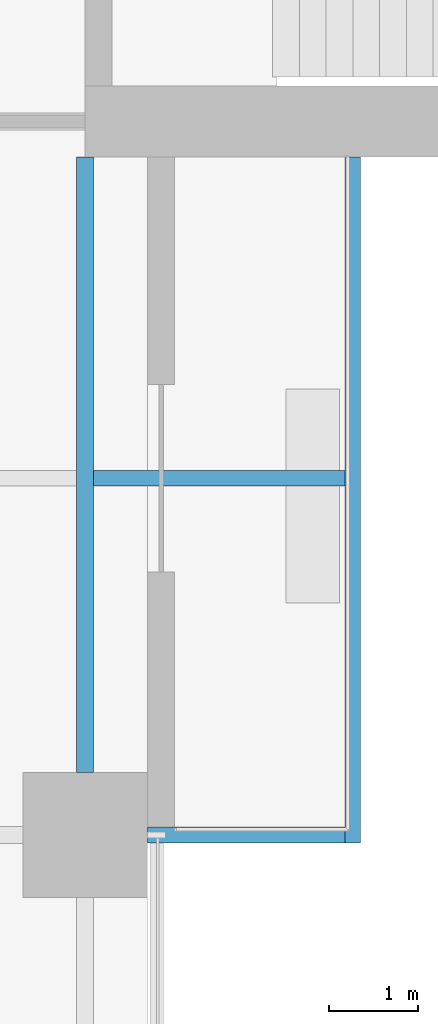
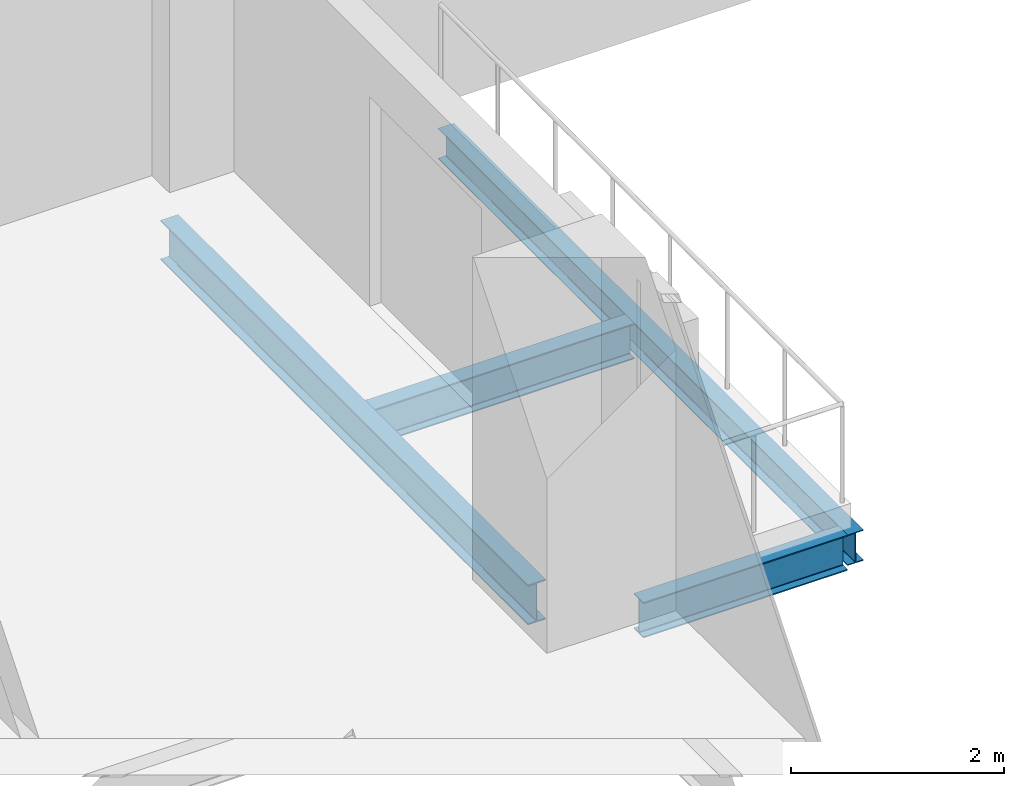
# One storey, part 5 of 27: 4 beams.
"""IFC4 building model written with IfcOpenShell, lengths in metres."""

import ifcopenshell
import ifcopenshell.guid

model = None  # the IFC model being written
_history = None  # IfcOwnerHistory: only IFC2X3 demands one
_inside = {}  # id of a spatial element -> (the spatial element, [elements in it])
_under = {}  # id of a project, library or spatial element -> (it, [spatial elements below it])
_declared = {}  # id of a project -> (the project, [libraries it declares])
_typed = {}  # id of a type object -> (the type object, [elements of that type])
_made_of = {}  # id of a material, layer set ... -> (it, [elements and type objects made of it])


def new_model(schema):
    """Start an empty IFC model of exactly this schema.

    Asked for "IFC4X3", IfcOpenShell would pick the latest addendum, in which some entities
    have other attributes; the version numbers below select the first issue.
    IFC2X3 requires an IfcOwnerHistory on every rooted entity: one is made here for all.
    """
    global model, _history
    if schema == "IFC4X3":
        model = ifcopenshell.file(schema_version=(4, 3, 0, 0))
    else:
        model = ifcopenshell.file(schema=schema)
    _inside.clear()
    _under.clear()
    _declared.clear()
    _typed.clear()
    _made_of.clear()
    _history = None
    if model.schema == "IFC2X3":
        org = make("IfcOrganization", Name="unknown")
        user = make(
            "IfcPersonAndOrganization",
            ThePerson=make("IfcPerson", FamilyName="unknown"),
            TheOrganization=org,
        )
        app = make(
            "IfcApplication",
            ApplicationDeveloper=org,
            Version="unknown",
            ApplicationFullName="unknown",
            ApplicationIdentifier="unknown",
        )
        _history = make(
            "IfcOwnerHistory",
            OwningUser=user,
            OwningApplication=app,
            ChangeAction="ADDED",
            CreationDate=0,
        )
    return model


def make(cls, **values):
    """One entity of the class cls with the attributes given. An attribute that is None is left unset."""
    return model.create_entity(
        cls, **{name: value for name, value in values.items() if value is not None}
    )


def rooted(cls, **values):
    """An entity with a GlobalId (a new one), such as an element, a storey or a relation."""
    return make(cls, GlobalId=ifcopenshell.guid.new(), OwnerHistory=_history, **values)


def si_unit(unit_type, name, prefix=None):
    """IfcSIUnit, for example si_unit("LENGTHUNIT", "METRE", prefix="MILLI")."""
    return make("IfcSIUnit", UnitType=unit_type, Prefix=prefix, Name=name)


def assignment(units):
    """IfcUnitAssignment: the units of a project."""
    return None if units is None else make("IfcUnitAssignment", Units=units)


def point(xyz):
    """IfcCartesianPoint."""
    return None if xyz is None else make("IfcCartesianPoint", Coordinates=xyz)


def direction(xyz):
    """IfcDirection."""
    return None if xyz is None else make("IfcDirection", DirectionRatios=xyz)


def frame(location, z_axis=None, x_axis=None):
    """IfcAxis2Placement3D, a coordinate frame: its origin and axes. An axis left out is left unset."""
    return make(
        "IfcAxis2Placement3D",
        Location=point(location),
        Axis=direction(z_axis),
        RefDirection=direction(x_axis),
    )


def frame_2d(location, x_axis=None):
    """IfcAxis2Placement2D, a coordinate frame in the plane: its origin and x axis."""
    return make(
        "IfcAxis2Placement2D", Location=point(location), RefDirection=direction(x_axis)
    )


def origin():
    """The frame at (0, 0, 0) with its axes left unset."""
    return frame((0.0, 0.0, 0.0))


def origin_2d():
    """The frame at (0, 0) in the plane with its x axis left unset."""
    return frame_2d((0.0, 0.0))


def place(relative_to, where):
    """IfcLocalPlacement: puts the frame where relative to a parent placement (None: the world)."""
    return make(
        "IfcLocalPlacement", PlacementRelTo=relative_to, RelativePlacement=where
    )


def context(
    kind, dimensions, precision=None, world=None, true_north=None, identifier=None
):
    """IfcGeometricRepresentationContext, for example the 3D "Model" context."""
    return make(
        "IfcGeometricRepresentationContext",
        ContextIdentifier=identifier,
        ContextType=kind,
        CoordinateSpaceDimension=dimensions,
        Precision=precision,
        WorldCoordinateSystem=world,
        TrueNorth=true_north,
    )


def subcontext(parent, identifier, kind, view, scale=None):
    """IfcGeometricRepresentationSubContext, for example "Body" below "Model"."""
    return make(
        "IfcGeometricRepresentationSubContext",
        ContextIdentifier=identifier,
        ContextType=kind,
        ParentContext=parent,
        TargetScale=scale,
        TargetView=view,
    )


def project(units=None, contexts=None):
    """IfcProject with its units and contexts."""
    return rooted(
        "IfcProject",
        Name="project",
        RepresentationContexts=contexts,
        UnitsInContext=assignment(units),
    )


def spatial(cls, under=None, at=None, **own):
    """A site, building, storey or space (cls), placed at a placement, below another one or the project."""
    s = rooted(cls, ObjectPlacement=at, **own)
    if under is not None:
        _under.setdefault(under.id(), (under, []))[1].append(s)
    return s


def profile(cls, at=None, kind="AREA", **sizes):
    """A parametric profile (cls). Its sizes go by their IFC names, for example OverallWidth=200.0."""
    return make(cls, ProfileType=kind, Position=at, **sizes)


def i_section(**sizes):
    """IfcIShapeProfileDef."""
    return profile("IfcIShapeProfileDef", **sizes)


def extrude(swept, where, along, depth):
    """IfcExtrudedAreaSolid: the profile swept, set in the frame where, extruded along a direction by depth."""
    return make(
        "IfcExtrudedAreaSolid",
        SweptArea=swept,
        Position=where,
        ExtrudedDirection=direction(along),
        Depth=depth,
    )


def shape(context_of_items, identifier, shape_type, items):
    """IfcShapeRepresentation: the items that make up one representation, for example the "Body"."""
    return make(
        "IfcShapeRepresentation",
        ContextOfItems=context_of_items,
        RepresentationIdentifier=identifier,
        RepresentationType=shape_type,
        Items=items,
    )


def material(Name=None, Category=None):
    """IfcMaterial."""
    return make("IfcMaterial", Name=Name, Category=Category)


def material_profile(
    of_material, cross_section, Name=None, Category=None, Priority=None
):
    """IfcMaterialProfile: a cross section and its material."""
    return make(
        "IfcMaterialProfile",
        Name=Name,
        Material=of_material,
        Profile=cross_section,
        Priority=Priority,
        Category=Category,
    )


def profile_set(profiles, Name=None, composite=None):
    """IfcMaterialProfileSet."""
    return make(
        "IfcMaterialProfileSet",
        Name=Name,
        MaterialProfiles=profiles,
        CompositeProfile=composite,
    )


def made_of(thing, what):
    """Note that an element or type object is made of a material, layer set ...; save() writes the relation."""
    if what is not None:
        _made_of.setdefault(what.id(), (what, []))[1].append(thing)
    return thing


def type_object(cls, material=None, **own):
    """A type object (cls), such as IfcWallType, which elements share."""
    return made_of(rooted(cls, **own), material)


def element(
    cls,
    number,
    at=None,
    inside=None,
    cuts=None,
    type_object=None,
    material=None,
    context=None,
    identifier="Body",
    shape_type=None,
    held_by="IfcProductDefinitionShape",
    body=None,
    shapes=None,
    **own,
):
    """One element of the class cls, such as IfcWall. Its Tag is "e" and its number.

    at: its placement. inside: the storey or other place that contains it. cuts: it is an
    opening in that element (IfcRelVoidsElement). A single representation is given by context,
    identifier, shape_type and body (its items); several are given by shapes. held_by: the class
    of the entity that holds the representations. save() writes the other relations.
    """
    e = rooted(cls, Tag="e%d" % number, ObjectPlacement=at, **own)
    if body is not None:
        shapes = [shape(context, identifier, shape_type, body)]
    if shapes is not None:
        e.Representation = make(held_by, Representations=shapes)
    if inside is not None:
        _inside.setdefault(inside.id(), (inside, []))[1].append(e)
    if cuts is not None:
        rooted(
            "IfcRelVoidsElement", RelatingBuildingElement=cuts, RelatedOpeningElement=e
        )
    if type_object is not None:
        _typed.setdefault(type_object.id(), (type_object, []))[1].append(e)
    return made_of(e, material)


def aggregate(whole, parts):
    """IfcRelAggregates: a whole, such as a stair, and the parts it consists of."""
    return rooted("IfcRelAggregates", RelatingObject=whole, RelatedObjects=parts)


def save(model, path):
    """Write the relations noted so far, then the file.

    IfcRelAggregates (storeys below a building ...), IfcRelContainedInSpatialStructure (elements
    in a storey), IfcRelDefinesByType, IfcRelAssociatesMaterial and IfcRelDeclares: one each for
    every whole, place, type object, material and project.
    """
    for whole, parts in _under.values():
        aggregate(whole, parts)
    for where, things in _inside.values():
        rooted(
            "IfcRelContainedInSpatialStructure",
            RelatedElements=things,
            RelatingStructure=where,
        )
    for kind, things in _typed.values():
        rooted("IfcRelDefinesByType", RelatedObjects=things, RelatingType=kind)
    for what, things in _made_of.values():
        rooted("IfcRelAssociatesMaterial", RelatedObjects=things, RelatingMaterial=what)
    for by, libraries in _declared.values():
        rooted("IfcRelDeclares", RelatingContext=by, RelatedDefinitions=libraries)
    model.write(path)


model = new_model("IFC4")

# Units and contexts
model_context = context("Model", 3, precision=1e-05, world=origin(), true_north=direction((0.0, 1.0)))
body_context = subcontext(model_context, "Body", "Model", "MODEL_VIEW")
ifc_project = project(units=[si_unit("LENGTHUNIT", "METRE"), si_unit("AREAUNIT", "SQUARE_METRE"), si_unit("VOLUMEUNIT", "CUBIC_METRE"), si_unit("PLANEANGLEUNIT", "RADIAN"), si_unit("MASSUNIT", "GRAM", prefix="KILO")], contexts=[model_context])

# Site, building, storey
site_placement = place(None, origin())
site = spatial("IfcSite", under=ifc_project, at=site_placement, CompositionType="ELEMENT")
building_placement = place(site_placement, origin())
building = spatial("IfcBuilding", under=site, at=building_placement, Name="Crosswind Convention Tower", CompositionType="ELEMENT")
storey_placement = place(building_placement, frame((0.0, 0.0, 94.199951171875)))
storey = spatial("IfcBuildingStorey", under=building, at=storey_placement, Name="L18", CompositionType="ELEMENT", Elevation=94.199951171875)

# Beams
ifc_material = material(Name="Steel S355", Category="steel")
ifc_material_profile_1 = material_profile(ifc_material, i_section(OverallWidth=0.177734375, OverallDepth=0.406494140625, WebThickness=0.0078125, FlangeThickness=0.0126953125, FilletRadius=0.01025390625, at=origin_2d()), Name="UB 406x178x60")
ifc_profile_set_1 = profile_set([ifc_material_profile_1], Name="Steel S355")
beam_type_1 = type_object("IfcBeamType", Name="Balcony cantilever UB 406x178x60", PredefinedType="BEAM", material=ifc_profile_set_1)
beam_1_placement = place(storey_placement, frame((137.09521484375, 84.0, -0.483154296875), z_axis=(1.0, 0.0, 0.0), x_axis=(0.0, 1.0, 0.0)))
element("IfcBeam", 1, at=beam_1_placement, inside=storey, type_object=beam_type_1, Name="B35 L18 balcony cantilever SE 10", PredefinedType="BEAM", context=body_context, shape_type="SweptSolid", body=[
    extrude(i_section(OverallWidth=0.177734375, OverallDepth=0.406494140625, WebThickness=0.0078125, FlangeThickness=0.0126953125, FilletRadius=0.01025390625, at=origin_2d()), origin(), (0.0, 0.0, 1.0), 2.8193359375),
])
beam_2_placement = place(storey_placement, frame((137.699951171875, 80.0, -0.483154296875), z_axis=(1.0, 0.0, 0.0), x_axis=(0.0, 1.0, 0.0)))
element("IfcBeam", 2, at=beam_2_placement, inside=storey, type_object=beam_type_1, Name="B35 L18 balcony cantilever SE 11", PredefinedType="BEAM", context=body_context, shape_type="SweptSolid", body=[
    extrude(i_section(OverallWidth=0.177734375, OverallDepth=0.406494140625, WebThickness=0.0078125, FlangeThickness=0.0126953125, FilletRadius=0.01025390625, at=origin_2d()), origin(), (0.0, 0.0, 1.0), 2.214599609375),
])
ifc_material_profile_2 = material_profile(ifc_material, i_section(OverallWidth=0.1708984375, OverallDepth=0.35205078125, WebThickness=0.0068359375, FlangeThickness=0.009765625, FilletRadius=0.01025390625, at=origin_2d()), Name="UB 356x171x45")
ifc_profile_set_2 = profile_set([ifc_material_profile_2], Name="Steel S355")
beam_type_2 = type_object("IfcBeamType", Name="Balcony edge beam UB 356x171x45", PredefinedType="BEAM", material=ifc_profile_set_2)
beam_3_placement = place(storey_placement, frame((140.0, 87.60009765625, -0.4560546875), z_axis=(0.0, -1.0, 0.0), x_axis=(1.0, 0.0, 0.0)))
element("IfcBeam", 3, at=beam_3_placement, inside=storey, type_object=beam_type_2, Name="B37 L18 balcony edge beam SE 12", PredefinedType="BEAM", context=body_context, shape_type="SweptSolid", body=[
    extrude(i_section(OverallWidth=0.1708984375, OverallDepth=0.35205078125, WebThickness=0.0068359375, FlangeThickness=0.009765625, FilletRadius=0.01025390625, at=origin_2d()), origin(), (0.0, 0.0, 1.0), 7.68896484375),
])
ifc_material_profile_3 = material_profile(ifc_material, i_section(OverallWidth=0.1904296875, OverallDepth=0.457275390625, WebThickness=0.009033203125, FlangeThickness=0.014404296875, FilletRadius=0.01025390625, at=origin_2d()), Name="UB 457x191x75")
ifc_profile_set_3 = profile_set([ifc_material_profile_3], Name="Steel S355")
beam_type_3 = type_object("IfcBeamType", Name="Edge beam UB 457x191x75", PredefinedType="SPANDREL", material=ifc_profile_set_3)
beam_4_placement = place(storey_placement, frame((137.0, 80.699951171875, -0.508544921875), z_axis=(0.0, 1.0, 0.0), x_axis=(-1.0, 0.0, 0.0)))
element("IfcBeam", 4, at=beam_4_placement, inside=storey, type_object=beam_type_3, Name="B17 L18 edge beam 20", PredefinedType="SPANDREL", context=body_context, shape_type="SweptSolid", body=[
    extrude(i_section(OverallWidth=0.1904296875, OverallDepth=0.457275390625, WebThickness=0.009033203125, FlangeThickness=0.014404296875, FilletRadius=0.01025390625, at=origin_2d()), origin(), (0.0, 0.0, 1.0), 6.900146484375),
])

save(model, "model.ifc")
